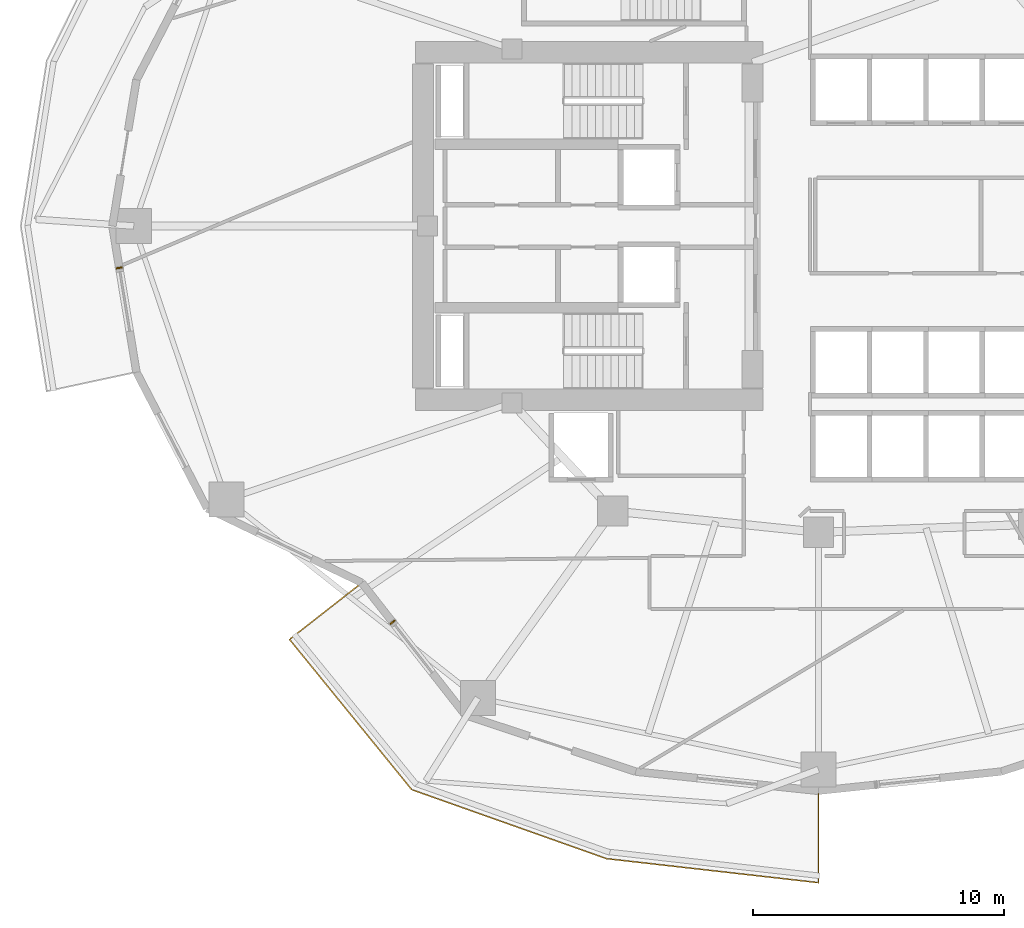
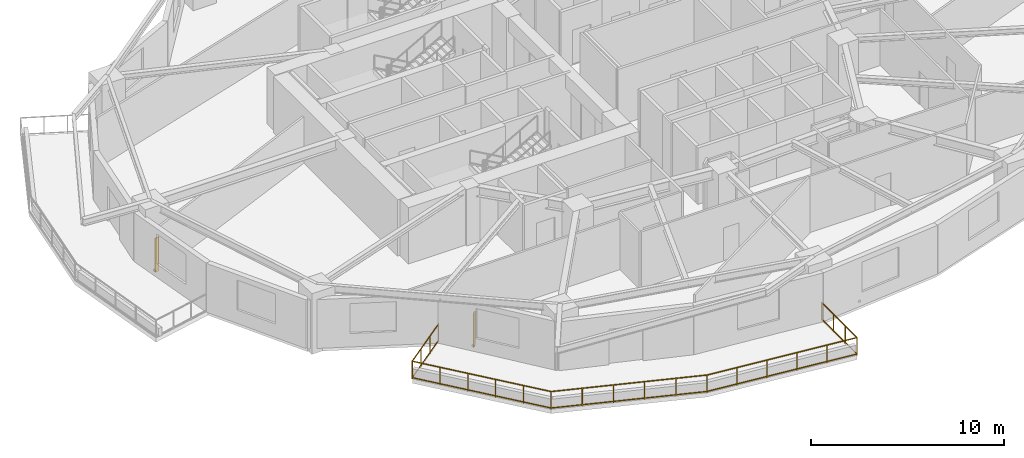
# One storey, part 10 of 14: 2 shading devices, 1 railing.
"""IFC4 building model written with IfcOpenShell, lengths in metres."""

import ifcopenshell
import ifcopenshell.guid

model = None  # the IFC model being written
_history = None  # IfcOwnerHistory: only IFC2X3 demands one
_inside = {}  # id of a spatial element -> (the spatial element, [elements in it])
_under = {}  # id of a project, library or spatial element -> (it, [spatial elements below it])
_declared = {}  # id of a project -> (the project, [libraries it declares])
_typed = {}  # id of a type object -> (the type object, [elements of that type])
_made_of = {}  # id of a material, layer set ... -> (it, [elements and type objects made of it])


def new_model(schema):
    """Start an empty IFC model of exactly this schema.

    Asked for "IFC4X3", IfcOpenShell would pick the latest addendum, in which some entities
    have other attributes; the version numbers below select the first issue.
    IFC2X3 requires an IfcOwnerHistory on every rooted entity: one is made here for all.
    """
    global model, _history
    if schema == "IFC4X3":
        model = ifcopenshell.file(schema_version=(4, 3, 0, 0))
    else:
        model = ifcopenshell.file(schema=schema)
    _inside.clear()
    _under.clear()
    _declared.clear()
    _typed.clear()
    _made_of.clear()
    _history = None
    if model.schema == "IFC2X3":
        org = make("IfcOrganization", Name="unknown")
        user = make(
            "IfcPersonAndOrganization",
            ThePerson=make("IfcPerson", FamilyName="unknown"),
            TheOrganization=org,
        )
        app = make(
            "IfcApplication",
            ApplicationDeveloper=org,
            Version="unknown",
            ApplicationFullName="unknown",
            ApplicationIdentifier="unknown",
        )
        _history = make(
            "IfcOwnerHistory",
            OwningUser=user,
            OwningApplication=app,
            ChangeAction="ADDED",
            CreationDate=0,
        )
    return model


def make(cls, **values):
    """One entity of the class cls with the attributes given. An attribute that is None is left unset."""
    return model.create_entity(
        cls, **{name: value for name, value in values.items() if value is not None}
    )


def rooted(cls, **values):
    """An entity with a GlobalId (a new one), such as an element, a storey or a relation."""
    return make(cls, GlobalId=ifcopenshell.guid.new(), OwnerHistory=_history, **values)


def si_unit(unit_type, name, prefix=None):
    """IfcSIUnit, for example si_unit("LENGTHUNIT", "METRE", prefix="MILLI")."""
    return make("IfcSIUnit", UnitType=unit_type, Prefix=prefix, Name=name)


def assignment(units):
    """IfcUnitAssignment: the units of a project."""
    return None if units is None else make("IfcUnitAssignment", Units=units)


def point(xyz):
    """IfcCartesianPoint."""
    return None if xyz is None else make("IfcCartesianPoint", Coordinates=xyz)


def direction(xyz):
    """IfcDirection."""
    return None if xyz is None else make("IfcDirection", DirectionRatios=xyz)


def frame(location, z_axis=None, x_axis=None):
    """IfcAxis2Placement3D, a coordinate frame: its origin and axes. An axis left out is left unset."""
    return make(
        "IfcAxis2Placement3D",
        Location=point(location),
        Axis=direction(z_axis),
        RefDirection=direction(x_axis),
    )


def frame_2d(location, x_axis=None):
    """IfcAxis2Placement2D, a coordinate frame in the plane: its origin and x axis."""
    return make(
        "IfcAxis2Placement2D", Location=point(location), RefDirection=direction(x_axis)
    )


def origin():
    """The frame at (0, 0, 0) with its axes left unset."""
    return frame((0.0, 0.0, 0.0))


def origin_2d():
    """The frame at (0, 0) in the plane with its x axis left unset."""
    return frame_2d((0.0, 0.0))


def place(relative_to, where):
    """IfcLocalPlacement: puts the frame where relative to a parent placement (None: the world)."""
    return make(
        "IfcLocalPlacement", PlacementRelTo=relative_to, RelativePlacement=where
    )


def context(
    kind, dimensions, precision=None, world=None, true_north=None, identifier=None
):
    """IfcGeometricRepresentationContext, for example the 3D "Model" context."""
    return make(
        "IfcGeometricRepresentationContext",
        ContextIdentifier=identifier,
        ContextType=kind,
        CoordinateSpaceDimension=dimensions,
        Precision=precision,
        WorldCoordinateSystem=world,
        TrueNorth=true_north,
    )


def subcontext(parent, identifier, kind, view, scale=None):
    """IfcGeometricRepresentationSubContext, for example "Body" below "Model"."""
    return make(
        "IfcGeometricRepresentationSubContext",
        ContextIdentifier=identifier,
        ContextType=kind,
        ParentContext=parent,
        TargetScale=scale,
        TargetView=view,
    )


def project(units=None, contexts=None):
    """IfcProject with its units and contexts."""
    return rooted(
        "IfcProject",
        Name="project",
        RepresentationContexts=contexts,
        UnitsInContext=assignment(units),
    )


def spatial(cls, under=None, at=None, **own):
    """A site, building, storey or space (cls), placed at a placement, below another one or the project."""
    s = rooted(cls, ObjectPlacement=at, **own)
    if under is not None:
        _under.setdefault(under.id(), (under, []))[1].append(s)
    return s


def profile(cls, at=None, kind="AREA", **sizes):
    """A parametric profile (cls). Its sizes go by their IFC names, for example OverallWidth=200.0."""
    return make(cls, ProfileType=kind, Position=at, **sizes)


def rectangle(**sizes):
    """IfcRectangleProfileDef."""
    return profile("IfcRectangleProfileDef", **sizes)


def extrude(swept, where, along, depth):
    """IfcExtrudedAreaSolid: the profile swept, set in the frame where, extruded along a direction by depth."""
    return make(
        "IfcExtrudedAreaSolid",
        SweptArea=swept,
        Position=where,
        ExtrudedDirection=direction(along),
        Depth=depth,
    )


def shape(context_of_items, identifier, shape_type, items):
    """IfcShapeRepresentation: the items that make up one representation, for example the "Body"."""
    return make(
        "IfcShapeRepresentation",
        ContextOfItems=context_of_items,
        RepresentationIdentifier=identifier,
        RepresentationType=shape_type,
        Items=items,
    )


def material(Name=None, Category=None):
    """IfcMaterial."""
    return make("IfcMaterial", Name=Name, Category=Category)


def made_of(thing, what):
    """Note that an element or type object is made of a material, layer set ...; save() writes the relation."""
    if what is not None:
        _made_of.setdefault(what.id(), (what, []))[1].append(thing)
    return thing


def type_object(cls, material=None, **own):
    """A type object (cls), such as IfcWallType, which elements share."""
    return made_of(rooted(cls, **own), material)


def element(
    cls,
    number,
    at=None,
    inside=None,
    cuts=None,
    type_object=None,
    material=None,
    context=None,
    identifier="Body",
    shape_type=None,
    held_by="IfcProductDefinitionShape",
    body=None,
    shapes=None,
    **own,
):
    """One element of the class cls, such as IfcWall. Its Tag is "e" and its number.

    at: its placement. inside: the storey or other place that contains it. cuts: it is an
    opening in that element (IfcRelVoidsElement). A single representation is given by context,
    identifier, shape_type and body (its items); several are given by shapes. held_by: the class
    of the entity that holds the representations. save() writes the other relations.
    """
    e = rooted(cls, Tag="e%d" % number, ObjectPlacement=at, **own)
    if body is not None:
        shapes = [shape(context, identifier, shape_type, body)]
    if shapes is not None:
        e.Representation = make(held_by, Representations=shapes)
    if inside is not None:
        _inside.setdefault(inside.id(), (inside, []))[1].append(e)
    if cuts is not None:
        rooted(
            "IfcRelVoidsElement", RelatingBuildingElement=cuts, RelatedOpeningElement=e
        )
    if type_object is not None:
        _typed.setdefault(type_object.id(), (type_object, []))[1].append(e)
    return made_of(e, material)


def aggregate(whole, parts):
    """IfcRelAggregates: a whole, such as a stair, and the parts it consists of."""
    return rooted("IfcRelAggregates", RelatingObject=whole, RelatedObjects=parts)


def save(model, path):
    """Write the relations noted so far, then the file.

    IfcRelAggregates (storeys below a building ...), IfcRelContainedInSpatialStructure (elements
    in a storey), IfcRelDefinesByType, IfcRelAssociatesMaterial and IfcRelDeclares: one each for
    every whole, place, type object, material and project.
    """
    for whole, parts in _under.values():
        aggregate(whole, parts)
    for where, things in _inside.values():
        rooted(
            "IfcRelContainedInSpatialStructure",
            RelatedElements=things,
            RelatingStructure=where,
        )
    for kind, things in _typed.values():
        rooted("IfcRelDefinesByType", RelatedObjects=things, RelatingType=kind)
    for what, things in _made_of.values():
        rooted("IfcRelAssociatesMaterial", RelatedObjects=things, RelatingMaterial=what)
    for by, libraries in _declared.values():
        rooted("IfcRelDeclares", RelatingContext=by, RelatedDefinitions=libraries)
    model.write(path)


model = new_model("IFC4")

# Units and contexts
model_context = context("Model", 3, precision=1e-05, world=origin(), true_north=direction((0.0, 1.0)))
body_context = subcontext(model_context, "Body", "Model", "MODEL_VIEW")
ifc_project = project(units=[si_unit("LENGTHUNIT", "METRE"), si_unit("AREAUNIT", "SQUARE_METRE"), si_unit("VOLUMEUNIT", "CUBIC_METRE"), si_unit("PLANEANGLEUNIT", "RADIAN"), si_unit("MASSUNIT", "GRAM", prefix="KILO")], contexts=[model_context])

# Site, building, storey
site_placement = place(None, origin())
site = spatial("IfcSite", under=ifc_project, at=site_placement, CompositionType="ELEMENT")
building_placement = place(site_placement, origin())
building = spatial("IfcBuilding", under=site, at=building_placement, Name="Kolvaren Gate Tower and Convention Centre", CompositionType="ELEMENT")
storey_placement = place(building_placement, frame((0.0, 0.0, 41.89990234375)))
storey = spatial("IfcBuildingStorey", under=building, at=storey_placement, Name="L09", CompositionType="ELEMENT", Elevation=41.89990234375)

# Railing
ifc_material_1 = material(Name="Brushed Stainless Steel Grade 316L", Category="steel")
railing_type = type_object("IfcRailingType", Name="ARCH-RL-GUARD-1150", PredefinedType="GUARDRAIL", material=ifc_material_1)
railing_placement = place(storey_placement, frame((11.934814453125, 12.787109375, 0.0)))
element("IfcRailing", 1, at=railing_placement, inside=storey, type_object=railing_type, Name="Tower L09 Terrace Perimeter Guardrail GR-3", PredefinedType="GUARDRAIL", context=body_context, shape_type="SweptSolid", body=[
    extrude(rectangle(XDim=0.048095703125, YDim=0.048095703125, at=origin_2d()), frame((-0.022216796875, -0.017333984375, 1.1259765625), z_axis=(-0.787988976981, -0.61568934712, 0.0), x_axis=(0.61568934712, -0.787988976981, 0.0)), (0.0, 0.0, 1.0), 3.60400390625),
    extrude(rectangle(XDim=0.048095703125, YDim=0.048095703125, at=origin_2d()), frame((-0.022216796875, -0.017333984375, 0.083984375), z_axis=(-0.787988976981, -0.61568934712, 0.0), x_axis=(0.61568934712, -0.787988976981, 0.0)), (0.0, 0.0, 1.0), 3.60400390625),
    extrude(rectangle(XDim=0.048095703125, YDim=0.048095703125, at=origin_2d()), frame((-2.866455078125, -2.275146484375, 1.1259765625), z_axis=(0.631012936188, -0.775772308324, 0.0), x_axis=(0.775772308324, 0.631012936188, 0.0)), (0.0, 0.0, 1.0), 7.661376953125),
    extrude(rectangle(XDim=0.048095703125, YDim=0.048095703125, at=origin_2d()), frame((-2.866455078125, -2.275146484375, 0.083984375), z_axis=(0.631012936188, -0.775772308324, 0.0), x_axis=(0.775772308324, 0.631012936188, 0.0)), (0.0, 0.0, 1.0), 7.661376953125),
    extrude(rectangle(XDim=0.048095703125, YDim=0.048095703125, at=origin_2d()), frame((2.01220703125, -8.249755859375, 1.1259765625), z_axis=(0.942581348797, -0.333976647237, 0.0), x_axis=(0.333976647237, 0.942581348797, 0.0)), (0.0, 0.0, 1.0), 8.179443359375),
    extrude(rectangle(XDim=0.048095703125, YDim=0.048095703125, at=origin_2d()), frame((2.01220703125, -8.249755859375, 0.083984375), z_axis=(0.942581348797, -0.333976647237, 0.0), x_axis=(0.333976647237, 0.942581348797, 0.0)), (0.0, 0.0, 1.0), 8.179443359375),
    extrude(rectangle(XDim=0.048095703125, YDim=0.048095703125, at=origin_2d()), frame((9.7763671875, -10.994140625, 1.1259765625), z_axis=(0.99364775515, -0.11253505536, 0.0), x_axis=(0.11253505536, 0.99364775515, 0.0)), (0.0, 0.0, 1.0), 8.439453125),
    extrude(rectangle(XDim=0.048095703125, YDim=0.048095703125, at=origin_2d()), frame((9.7763671875, -10.994140625, 0.083984375), z_axis=(0.99364775515, -0.11253505536, 0.0), x_axis=(0.11253505536, 0.99364775515, 0.0)), (0.0, 0.0, 1.0), 8.439453125),
    extrude(rectangle(XDim=0.048095703125, YDim=0.048095703125, at=origin_2d()), frame((18.190185546875, -11.9189453125, 1.1259765625), z_axis=(0.0, 1.0, 0.0), x_axis=(-1.0, 0.0, 0.0)), (0.0, 0.0, 1.0), 3.603759765625),
    extrude(rectangle(XDim=0.048095703125, YDim=0.048095703125, at=origin_2d()), frame((18.190185546875, -11.9189453125, 0.083984375), z_axis=(0.0, 1.0, 0.0), x_axis=(-1.0, 0.0, 0.0)), (0.0, 0.0, 1.0), 3.603759765625),
    extrude(rectangle(XDim=0.0419921875, YDim=0.0419921875, at=origin_2d()), origin(), (0.0, 0.0, 1.0), 1.14990234375),
    extrude(rectangle(XDim=0.0419921875, YDim=0.0419921875, at=origin_2d()), frame((-2.884033203125, -2.25341796875, 0.0)), (0.0, 0.0, 1.0), 1.14990234375),
    extrude(rectangle(XDim=0.0419921875, YDim=0.0419921875, at=origin_2d()), frame((-0.96142578125, -0.751220703125, 0.0)), (0.0, 0.0, 1.0), 1.099853515625),
    extrude(rectangle(XDim=0.0419921875, YDim=0.0419921875, at=origin_2d()), frame((-1.922607421875, -1.502197265625, 0.0)), (0.0, 0.0, 1.0), 1.099853515625),
    extrude(rectangle(XDim=0.0419921875, YDim=0.0419921875, at=origin_2d()), frame((1.98583984375, -8.240478515625, 0.0)), (0.0, 0.0, 1.0), 1.14990234375),
    extrude(rectangle(XDim=0.0419921875, YDim=0.0419921875, at=origin_2d()), frame((-1.91015625, -3.450927734375, 0.0)), (0.0, 0.0, 1.0), 1.099853515625),
    extrude(rectangle(XDim=0.0419921875, YDim=0.0419921875, at=origin_2d()), frame((-0.93603515625, -4.648193359375, 0.0)), (0.0, 0.0, 1.0), 1.099853515625),
    extrude(rectangle(XDim=0.0419921875, YDim=0.0419921875, at=origin_2d()), frame((0.037841796875, -5.845703125, 0.0)), (0.0, 0.0, 1.0), 1.099853515625),
    extrude(rectangle(XDim=0.0419921875, YDim=0.0419921875, at=origin_2d()), frame((1.011962890625, -7.04296875, 0.0)), (0.0, 0.0, 1.0), 1.099853515625),
    extrude(rectangle(XDim=0.0419921875, YDim=0.0419921875, at=origin_2d()), frame((9.74853515625, -10.990966796875, 0.0)), (0.0, 0.0, 1.0), 1.14990234375),
    extrude(rectangle(XDim=0.0419921875, YDim=0.0419921875, at=origin_2d()), frame((3.538330078125, -8.79052734375, 0.0)), (0.0, 0.0, 1.0), 1.099853515625),
    extrude(rectangle(XDim=0.0419921875, YDim=0.0419921875, at=origin_2d()), frame((5.0908203125, -9.340576171875, 0.0)), (0.0, 0.0, 1.0), 1.099853515625),
    extrude(rectangle(XDim=0.0419921875, YDim=0.0419921875, at=origin_2d()), frame((6.6435546875, -9.890869140625, 0.0)), (0.0, 0.0, 1.0), 1.099853515625),
    extrude(rectangle(XDim=0.0419921875, YDim=0.0419921875, at=origin_2d()), frame((8.196044921875, -10.44091796875, 0.0)), (0.0, 0.0, 1.0), 1.099853515625),
    extrude(rectangle(XDim=0.0419921875, YDim=0.0419921875, at=origin_2d()), frame((18.190185546875, -11.947021484375, 0.0)), (0.0, 0.0, 1.0), 1.14990234375),
    extrude(rectangle(XDim=0.0419921875, YDim=0.0419921875, at=origin_2d()), frame((11.436767578125, -11.18212890625, 0.0)), (0.0, 0.0, 1.0), 1.099853515625),
    extrude(rectangle(XDim=0.0419921875, YDim=0.0419921875, at=origin_2d()), frame((13.125244140625, -11.373291015625, 0.0)), (0.0, 0.0, 1.0), 1.099853515625),
    extrude(rectangle(XDim=0.0419921875, YDim=0.0419921875, at=origin_2d()), frame((14.8134765625, -11.564697265625, 0.0)), (0.0, 0.0, 1.0), 1.099853515625),
    extrude(rectangle(XDim=0.0419921875, YDim=0.0419921875, at=origin_2d()), frame((16.501953125, -11.755859375, 0.0)), (0.0, 0.0, 1.0), 1.099853515625),
    extrude(rectangle(XDim=0.0419921875, YDim=0.0419921875, at=origin_2d()), frame((18.190185546875, -8.287109375, 0.0)), (0.0, 0.0, 1.0), 1.14990234375),
    extrude(rectangle(XDim=0.0419921875, YDim=0.0419921875, at=origin_2d()), frame((18.190185546875, -10.72705078125, 0.0)), (0.0, 0.0, 1.0), 1.099853515625),
    extrude(rectangle(XDim=0.0419921875, YDim=0.0419921875, at=origin_2d()), frame((18.190185546875, -9.507080078125, 0.0)), (0.0, 0.0, 1.0), 1.099853515625),
])

# Shading devices
ifc_material_2 = material(Name="Kiln-Fired Bogota Terracotta Ceramic Louvre Profile", Category="masonry")
shading_device_type = type_object("IfcShadingDeviceType", Name="ARCH-SHD-FIN-180", PredefinedType="JALOUSIE", material=ifc_material_2)
for number, where, z_axis, x_axis, name in (
    (2, (2.2744140625, 25.33251953125, 0.22021484375), (0.0, 0.0, 1.0), (0.162377123682, -0.986728772108, 0.0), "Ceramic Vertical Brise-Soleil Fin FN-L09-12"),
    (3, (13.16015625, 11.2216796875, 0.22021484375), (0.0, 0.0, 1.0), (0.616424499081, -0.787414018756, 0.0), "Ceramic Vertical Brise-Soleil Fin FN-L09-15"),
):
    element("IfcShadingDevice", number, at=place(storey_placement, frame(where, z_axis=z_axis, x_axis=x_axis)), inside=storey, type_object=shading_device_type, Name=name, PredefinedType="JALOUSIE", context=body_context, shape_type="SweptSolid", body=[
        extrude(rectangle(XDim=0.06005859375, YDim=0.239990234375, at=origin_2d()), origin(), (0.0, 0.0, 1.0), 2.14990234375),
    ])

save(model, "model.ifc")
